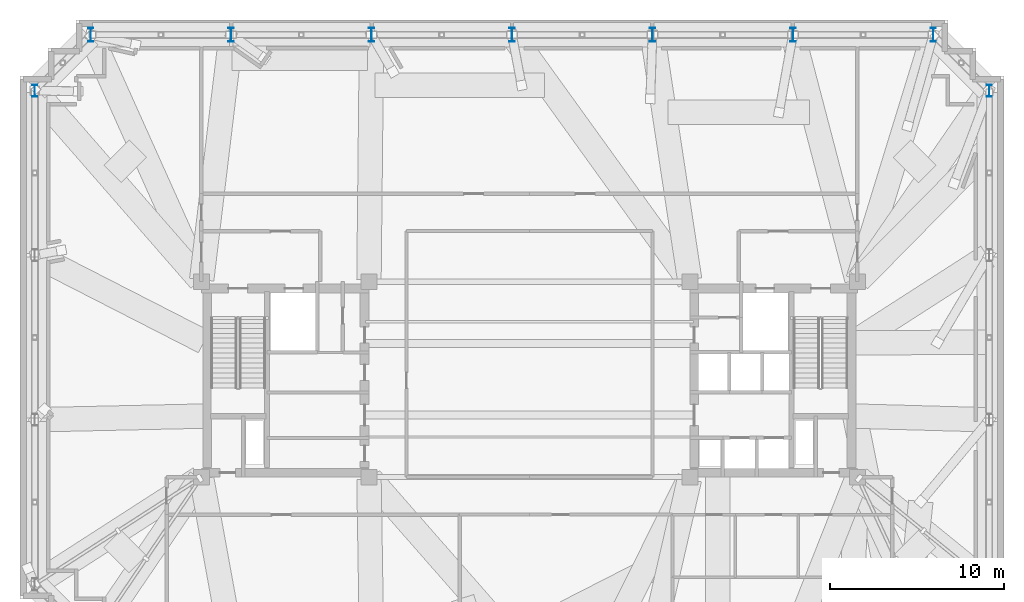
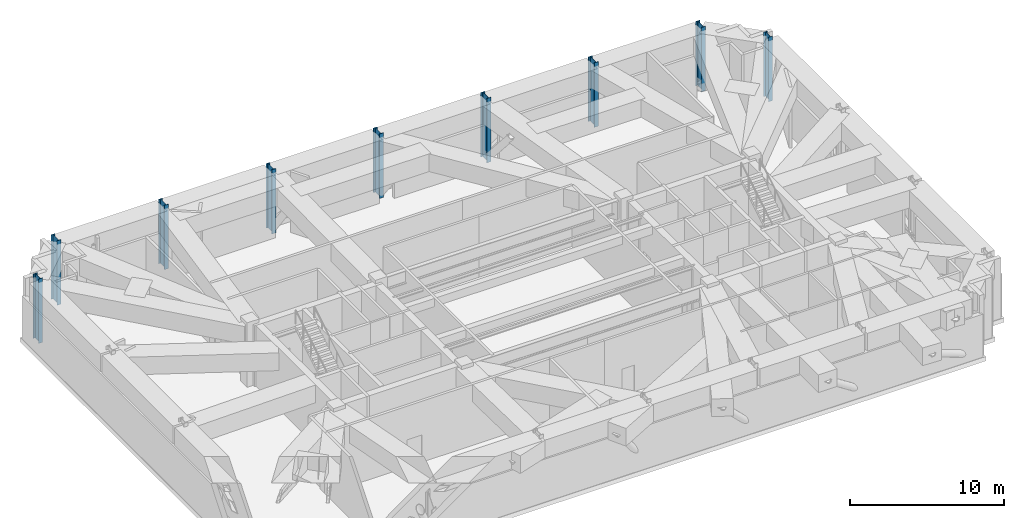
# One storey, part 2 of 18: 9 columns.
"""IFC4 building model written with IfcOpenShell, lengths in metres."""

import ifcopenshell
import ifcopenshell.guid

model = None  # the IFC model being written
_history = None  # IfcOwnerHistory: only IFC2X3 demands one
_inside = {}  # id of a spatial element -> (the spatial element, [elements in it])
_under = {}  # id of a project, library or spatial element -> (it, [spatial elements below it])
_declared = {}  # id of a project -> (the project, [libraries it declares])
_typed = {}  # id of a type object -> (the type object, [elements of that type])
_made_of = {}  # id of a material, layer set ... -> (it, [elements and type objects made of it])


def new_model(schema):
    """Start an empty IFC model of exactly this schema.

    Asked for "IFC4X3", IfcOpenShell would pick the latest addendum, in which some entities
    have other attributes; the version numbers below select the first issue.
    IFC2X3 requires an IfcOwnerHistory on every rooted entity: one is made here for all.
    """
    global model, _history
    if schema == "IFC4X3":
        model = ifcopenshell.file(schema_version=(4, 3, 0, 0))
    else:
        model = ifcopenshell.file(schema=schema)
    _inside.clear()
    _under.clear()
    _declared.clear()
    _typed.clear()
    _made_of.clear()
    _history = None
    if model.schema == "IFC2X3":
        org = make("IfcOrganization", Name="unknown")
        user = make(
            "IfcPersonAndOrganization",
            ThePerson=make("IfcPerson", FamilyName="unknown"),
            TheOrganization=org,
        )
        app = make(
            "IfcApplication",
            ApplicationDeveloper=org,
            Version="unknown",
            ApplicationFullName="unknown",
            ApplicationIdentifier="unknown",
        )
        _history = make(
            "IfcOwnerHistory",
            OwningUser=user,
            OwningApplication=app,
            ChangeAction="ADDED",
            CreationDate=0,
        )
    return model


def make(cls, **values):
    """One entity of the class cls with the attributes given. An attribute that is None is left unset."""
    return model.create_entity(
        cls, **{name: value for name, value in values.items() if value is not None}
    )


def rooted(cls, **values):
    """An entity with a GlobalId (a new one), such as an element, a storey or a relation."""
    return make(cls, GlobalId=ifcopenshell.guid.new(), OwnerHistory=_history, **values)


def si_unit(unit_type, name, prefix=None):
    """IfcSIUnit, for example si_unit("LENGTHUNIT", "METRE", prefix="MILLI")."""
    return make("IfcSIUnit", UnitType=unit_type, Prefix=prefix, Name=name)


def assignment(units):
    """IfcUnitAssignment: the units of a project."""
    return None if units is None else make("IfcUnitAssignment", Units=units)


def point(xyz):
    """IfcCartesianPoint."""
    return None if xyz is None else make("IfcCartesianPoint", Coordinates=xyz)


def direction(xyz):
    """IfcDirection."""
    return None if xyz is None else make("IfcDirection", DirectionRatios=xyz)


def frame(location, z_axis=None, x_axis=None):
    """IfcAxis2Placement3D, a coordinate frame: its origin and axes. An axis left out is left unset."""
    return make(
        "IfcAxis2Placement3D",
        Location=point(location),
        Axis=direction(z_axis),
        RefDirection=direction(x_axis),
    )


def frame_2d(location, x_axis=None):
    """IfcAxis2Placement2D, a coordinate frame in the plane: its origin and x axis."""
    return make(
        "IfcAxis2Placement2D", Location=point(location), RefDirection=direction(x_axis)
    )


def origin():
    """The frame at (0, 0, 0) with its axes left unset."""
    return frame((0.0, 0.0, 0.0))


def origin_2d():
    """The frame at (0, 0) in the plane with its x axis left unset."""
    return frame_2d((0.0, 0.0))


def place(relative_to, where):
    """IfcLocalPlacement: puts the frame where relative to a parent placement (None: the world)."""
    return make(
        "IfcLocalPlacement", PlacementRelTo=relative_to, RelativePlacement=where
    )


def context(
    kind, dimensions, precision=None, world=None, true_north=None, identifier=None
):
    """IfcGeometricRepresentationContext, for example the 3D "Model" context."""
    return make(
        "IfcGeometricRepresentationContext",
        ContextIdentifier=identifier,
        ContextType=kind,
        CoordinateSpaceDimension=dimensions,
        Precision=precision,
        WorldCoordinateSystem=world,
        TrueNorth=true_north,
    )


def subcontext(parent, identifier, kind, view, scale=None):
    """IfcGeometricRepresentationSubContext, for example "Body" below "Model"."""
    return make(
        "IfcGeometricRepresentationSubContext",
        ContextIdentifier=identifier,
        ContextType=kind,
        ParentContext=parent,
        TargetScale=scale,
        TargetView=view,
    )


def project(units=None, contexts=None):
    """IfcProject with its units and contexts."""
    return rooted(
        "IfcProject",
        Name="project",
        RepresentationContexts=contexts,
        UnitsInContext=assignment(units),
    )


def spatial(cls, under=None, at=None, **own):
    """A site, building, storey or space (cls), placed at a placement, below another one or the project."""
    s = rooted(cls, ObjectPlacement=at, **own)
    if under is not None:
        _under.setdefault(under.id(), (under, []))[1].append(s)
    return s


def profile(cls, at=None, kind="AREA", **sizes):
    """A parametric profile (cls). Its sizes go by their IFC names, for example OverallWidth=200.0."""
    return make(cls, ProfileType=kind, Position=at, **sizes)


def i_section(**sizes):
    """IfcIShapeProfileDef."""
    return profile("IfcIShapeProfileDef", **sizes)


def extrude(swept, where, along, depth):
    """IfcExtrudedAreaSolid: the profile swept, set in the frame where, extruded along a direction by depth."""
    return make(
        "IfcExtrudedAreaSolid",
        SweptArea=swept,
        Position=where,
        ExtrudedDirection=direction(along),
        Depth=depth,
    )


def shape(context_of_items, identifier, shape_type, items):
    """IfcShapeRepresentation: the items that make up one representation, for example the "Body"."""
    return make(
        "IfcShapeRepresentation",
        ContextOfItems=context_of_items,
        RepresentationIdentifier=identifier,
        RepresentationType=shape_type,
        Items=items,
    )


def material(Name=None, Category=None):
    """IfcMaterial."""
    return make("IfcMaterial", Name=Name, Category=Category)


def material_profile(
    of_material, cross_section, Name=None, Category=None, Priority=None
):
    """IfcMaterialProfile: a cross section and its material."""
    return make(
        "IfcMaterialProfile",
        Name=Name,
        Material=of_material,
        Profile=cross_section,
        Priority=Priority,
        Category=Category,
    )


def profile_set(profiles, Name=None, composite=None):
    """IfcMaterialProfileSet."""
    return make(
        "IfcMaterialProfileSet",
        Name=Name,
        MaterialProfiles=profiles,
        CompositeProfile=composite,
    )


def made_of(thing, what):
    """Note that an element or type object is made of a material, layer set ...; save() writes the relation."""
    if what is not None:
        _made_of.setdefault(what.id(), (what, []))[1].append(thing)
    return thing


def type_object(cls, material=None, **own):
    """A type object (cls), such as IfcWallType, which elements share."""
    return made_of(rooted(cls, **own), material)


def element(
    cls,
    number,
    at=None,
    inside=None,
    cuts=None,
    type_object=None,
    material=None,
    context=None,
    identifier="Body",
    shape_type=None,
    held_by="IfcProductDefinitionShape",
    body=None,
    shapes=None,
    **own,
):
    """One element of the class cls, such as IfcWall. Its Tag is "e" and its number.

    at: its placement. inside: the storey or other place that contains it. cuts: it is an
    opening in that element (IfcRelVoidsElement). A single representation is given by context,
    identifier, shape_type and body (its items); several are given by shapes. held_by: the class
    of the entity that holds the representations. save() writes the other relations.
    """
    e = rooted(cls, Tag="e%d" % number, ObjectPlacement=at, **own)
    if body is not None:
        shapes = [shape(context, identifier, shape_type, body)]
    if shapes is not None:
        e.Representation = make(held_by, Representations=shapes)
    if inside is not None:
        _inside.setdefault(inside.id(), (inside, []))[1].append(e)
    if cuts is not None:
        rooted(
            "IfcRelVoidsElement", RelatingBuildingElement=cuts, RelatedOpeningElement=e
        )
    if type_object is not None:
        _typed.setdefault(type_object.id(), (type_object, []))[1].append(e)
    return made_of(e, material)


def aggregate(whole, parts):
    """IfcRelAggregates: a whole, such as a stair, and the parts it consists of."""
    return rooted("IfcRelAggregates", RelatingObject=whole, RelatedObjects=parts)


def save(model, path):
    """Write the relations noted so far, then the file.

    IfcRelAggregates (storeys below a building ...), IfcRelContainedInSpatialStructure (elements
    in a storey), IfcRelDefinesByType, IfcRelAssociatesMaterial and IfcRelDeclares: one each for
    every whole, place, type object, material and project.
    """
    for whole, parts in _under.values():
        aggregate(whole, parts)
    for where, things in _inside.values():
        rooted(
            "IfcRelContainedInSpatialStructure",
            RelatedElements=things,
            RelatingStructure=where,
        )
    for kind, things in _typed.values():
        rooted("IfcRelDefinesByType", RelatedObjects=things, RelatingType=kind)
    for what, things in _made_of.values():
        rooted("IfcRelAssociatesMaterial", RelatedObjects=things, RelatingMaterial=what)
    for by, libraries in _declared.values():
        rooted("IfcRelDeclares", RelatingContext=by, RelatedDefinitions=libraries)
    model.write(path)


model = new_model("IFC4")

# Units and contexts
model_context = context("Model", 3, precision=1e-05, world=origin(), true_north=direction((0.0, 1.0)))
body_context = subcontext(model_context, "Body", "Model", "MODEL_VIEW")
ifc_project = project(units=[si_unit("LENGTHUNIT", "METRE"), si_unit("AREAUNIT", "SQUARE_METRE"), si_unit("VOLUMEUNIT", "CUBIC_METRE"), si_unit("PLANEANGLEUNIT", "RADIAN"), si_unit("MASSUNIT", "GRAM", prefix="KILO")], contexts=[model_context])

# Site, building, storey
site_placement = place(None, origin())
site = spatial("IfcSite", under=ifc_project, at=site_placement, CompositionType="ELEMENT")
building_placement = place(site_placement, origin())
building = spatial("IfcBuilding", under=site, at=building_placement, Name="Qobustan Lattice House", CompositionType="ELEMENT")
storey_placement = place(building_placement, frame((0.0, 0.0, 174.550048828125)))
storey = spatial("IfcBuildingStorey", under=building, at=storey_placement, Name="L49", CompositionType="ELEMENT", Elevation=174.550048828125)

# Columns
ifc_material_1 = material(Name="Steel S355", Category="steel")
ifc_material_profile_1 = material_profile(ifc_material_1, i_section(OverallWidth=0.300048828125, OverallDepth=0.699951171875, WebThickness=0.01708984375, FlangeThickness=0.031982421875, FilletRadius=0.027099609375, at=origin_2d()), Name="HEB700")
ifc_profile_set_1 = profile_set([ifc_material_profile_1], Name="Steel S355")
column_type_1 = type_object("IfcColumnType", Name="COL-ST-HEB700", PredefinedType="COLUMN", material=ifc_profile_set_1)
for number, where, z_axis, x_axis, name in (
    (1, (26.35009765625, 16.550048828125, 0.0), (0.0, 0.0, 1.0), (1.0, 0.0, 0.0), "L49 B3 perimeter column E4"),
    (2, (-28.35009765625, 16.550048828125, 0.0), (0.0, 0.0, 1.0), (1.0, 0.0, 0.0), "L49 B3 perimeter column W1"),
):
    element("IfcColumn", number, at=place(storey_placement, frame(where, z_axis=z_axis, x_axis=x_axis)), inside=storey, type_object=column_type_1, Name=name, PredefinedType="COLUMN", context=body_context, shape_type="SweptSolid", body=[
        extrude(i_section(OverallWidth=0.300048828125, OverallDepth=0.699951171875, WebThickness=0.01708984375, FlangeThickness=0.031982421875, FilletRadius=0.027099609375, at=origin_2d()), origin(), (0.0, 0.0, 1.0), 5.099853515625),
    ])
ifc_material_2 = material(Name="Steel S355", Category="steel")
ifc_material_profile_2 = material_profile(ifc_material_2, i_section(OverallWidth=0.300048828125, OverallDepth=0.800048828125, WebThickness=0.017578125, FlangeThickness=0.032958984375, FilletRadius=0.030029296875, at=origin_2d()), Name="HEB800")
ifc_profile_set_2 = profile_set([ifc_material_profile_2], Name="Steel S355")
column_type_2 = type_object("IfcColumnType", Name="COL-ST-HEB800", PredefinedType="COLUMN", material=ifc_profile_set_2)
for number, where, z_axis, x_axis, name in (
    (3, (23.14990234375, 19.75, 0.0), (0.0, 0.0, 1.0), (1.0, 0.0, 0.0), "L49 B3 perimeter column N1"),
    (4, (15.10009765625, 19.75, 0.0), (0.0, 0.0, 1.0), (1.0, 0.0, 0.0), "L49 B3 perimeter column N2"),
    (5, (7.050048828125, 19.75, 0.0), (0.0, 0.0, 1.0), (1.0, 0.0, 0.0), "L49 B3 perimeter column N3"),
    (6, (-1.0, 19.75, 0.0), (0.0, 0.0, 1.0), (1.0, 0.0, 0.0), "L49 B3 perimeter column N4"),
    (7, (-9.050048828125, 19.75, 0.0), (0.0, 0.0, 1.0), (1.0, 0.0, 0.0), "L49 B3 perimeter column N5"),
    (8, (-17.10009765625, 19.75, 0.0), (0.0, 0.0, 1.0), (1.0, 0.0, 0.0), "L49 B3 perimeter column N6"),
    (9, (-25.14990234375, 19.75, 0.0), (0.0, 0.0, 1.0), (1.0, 0.0, 0.0), "L49 B3 perimeter column N7"),
):
    element("IfcColumn", number, at=place(storey_placement, frame(where, z_axis=z_axis, x_axis=x_axis)), inside=storey, type_object=column_type_2, Name=name, PredefinedType="COLUMN", context=body_context, shape_type="SweptSolid", body=[
        extrude(i_section(OverallWidth=0.300048828125, OverallDepth=0.800048828125, WebThickness=0.017578125, FlangeThickness=0.032958984375, FilletRadius=0.030029296875, at=origin_2d()), origin(), (0.0, 0.0, 1.0), 5.099853515625),
    ])

save(model, "model.ifc")
